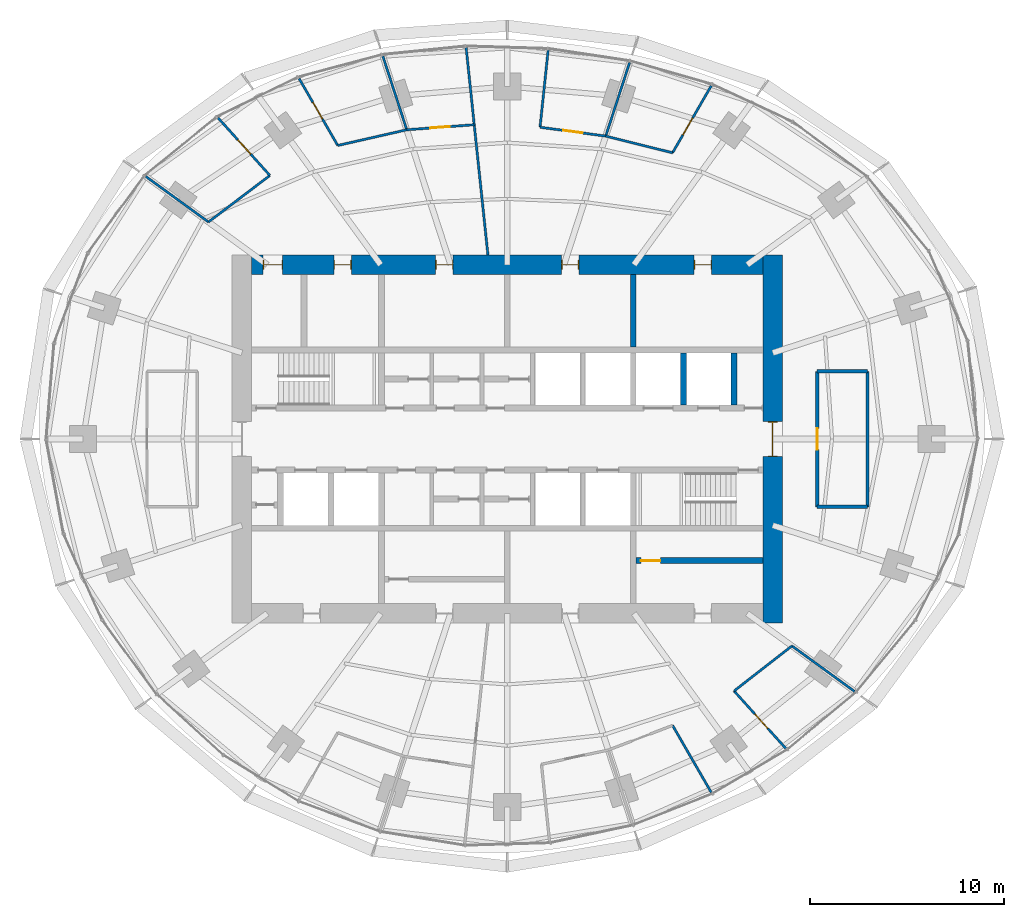
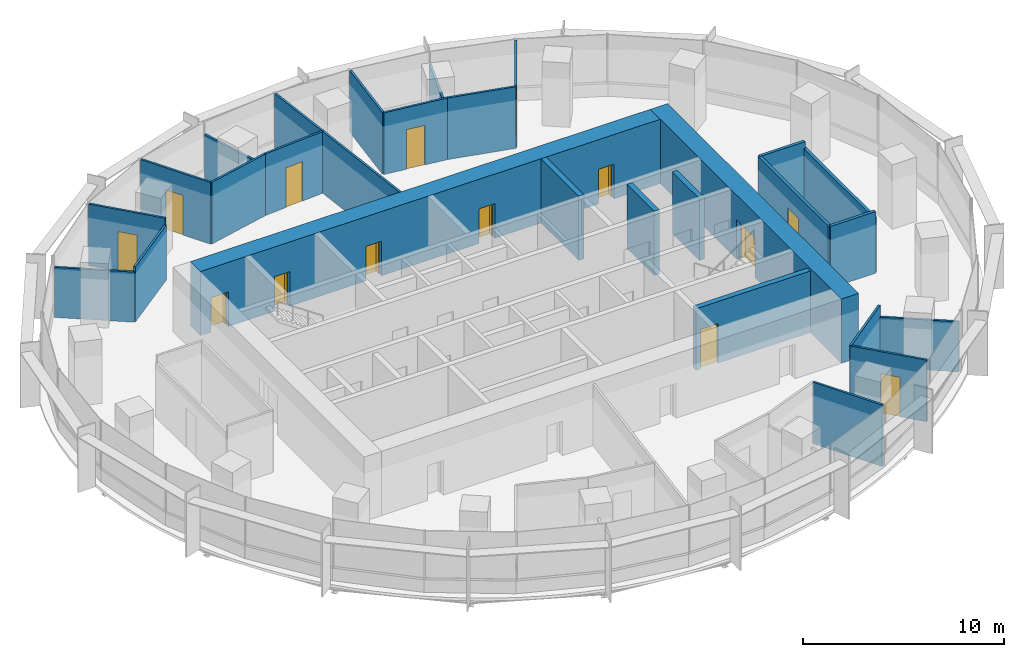
# One storey, part 12 of 15: 27 walls, 14 doors, 14 openings.
"""IFC4 building model written with IfcOpenShell, lengths in metres."""

from ifc_helpers import new_model, si_unit, direction, frame, frame_2d, origin, place, context, subcontext, project, spatial, rectangle, extrude, material, layer, layer_set, type_object, element, fill, save


model = new_model("IFC4")

# Units and contexts
model_context = context("Model", 3, precision=1e-05, world=origin(), true_north=direction((0.0, 1.0)))
body_context = subcontext(model_context, "Body", "Model", "MODEL_VIEW")
ifc_project = project(units=[si_unit("LENGTHUNIT", "METRE"), si_unit("AREAUNIT", "SQUARE_METRE"), si_unit("VOLUMEUNIT", "CUBIC_METRE"), si_unit("PLANEANGLEUNIT", "RADIAN"), si_unit("MASSUNIT", "GRAM", prefix="KILO")], contexts=[model_context])

# Site, building, storey
site_placement = place(None, origin())
site = spatial("IfcSite", under=ifc_project, at=site_placement, CompositionType="ELEMENT")
building_placement = place(site_placement, origin())
building = spatial("IfcBuilding", under=site, at=building_placement, Name="Marramba Exchange Tower", CompositionType="ELEMENT")
storey_placement = place(building_placement, frame((0.0, 0.0, 191.60009765625)))
storey = spatial("IfcBuildingStorey", under=building, at=storey_placement, Name="L46", CompositionType="ELEMENT", Elevation=191.60009765625)

# Wall
ifc_material_1 = material(Name="Plasterboard on staggered double steel studs, acoustic insulation", Category="steel")
ifc_layer_1 = layer(ifc_material_1, 0.169921875)
ifc_layer_set_1 = layer_set([ifc_layer_1], Name="Acoustic partition 170")
wall_type_1 = type_object("IfcWallType", Name="Acoustic partition 170", PredefinedType="PARTITIONING", material=ifc_layer_set_1)
wall_1_placement = place(storey_placement, frame((18.60009765625, -3.5, 0.0), z_axis=(0.0, 0.0, 1.0), x_axis=(-1.0, 0.0, 0.0)))
element("IfcWall", 1, at=wall_1_placement, inside=storey, type_object=wall_type_1, Name="Acoustic partition L46 15", PredefinedType="PARTITIONING", context=body_context, shape_type="SweptSolid", body=[
    extrude(rectangle(XDim=2.60009765625, YDim=0.169921875, at=frame_2d((1.300048828125, 0.0))), origin(), (0.0, 0.0, 1.0), 3.739990234375),
])

# Wall, opening, door
wall_2_placement = place(storey_placement, frame((16.0, -3.5, 0.0), z_axis=(0.0, 0.0, 1.0), x_axis=(0.0, 1.0, 0.0)))
wall_2 = element("IfcWall", 2, at=wall_2_placement, inside=storey, type_object=wall_type_1, Name="Acoustic partition L46 16", PredefinedType="PARTITIONING", context=body_context, shape_type="SweptSolid", body=[
    extrude(rectangle(XDim=7.0, YDim=0.169921875, at=frame_2d((3.5, 0.0))), origin(), (0.0, 0.0, 1.0), 3.739990234375),
])
opening_1_placement = place(wall_2_placement, frame((2.949951171875, 0.0, 0.0)))
opening_1 = element("IfcOpeningElement", 3, at=opening_1_placement, cuts=wall_2, Name="Opening D15", PredefinedType="OPENING", context=body_context, shape_type="SweptSolid", body=[
    extrude(rectangle(XDim=1.10009765625, YDim=2.39990234375, at=frame_2d((0.550048828125, 1.199951171875))), frame((0.0, 0.094970703125, 0.0), z_axis=(0.0, -1.0, 0.0), x_axis=(1.0, 0.0, 0.0)), (0.0, 0.0, 1.0), 0.18994140625),
])
ifc_material_2 = material(Name="Timber door", Category="wood")
door_type_1 = type_object("IfcDoorType", Name="Glazed meeting room door 1100x2400", OperationType="SINGLE_SWING_LEFT", PredefinedType="DOOR", material=ifc_material_2)
door_1_placement = place(opening_1_placement, frame((1.10009765625, 0.0, 0.0), z_axis=(0.0, 0.0, 1.0), x_axis=(-1.0, 0.0, 0.0)))
door_1 = element("IfcDoor", 4, at=door_1_placement, inside=storey, type_object=door_type_1, Name="D15 Meeting Room L46", OperationType="SINGLE_SWING_RIGHT", OverallHeight=2.39990234375, OverallWidth=1.10009765625, PredefinedType="DOOR", context=body_context, shape_type="SweptSolid", body=[
    extrude(rectangle(XDim=1.10009765625, YDim=2.39990234375, at=frame_2d((0.550048828125, 1.199951171875))), frame((0.0, 0.025146484375, 0.0), z_axis=(0.0, -1.0, 0.0), x_axis=(1.0, 0.0, 0.0)), (0.0, 0.0, 1.0), 0.050048828125),
])
fill(opening_1, door_1)

# Walls
wall_3_placement = place(storey_placement, frame((18.60009765625, 3.5, 0.0), z_axis=(0.0, 0.0, 1.0), x_axis=(0.0, -1.0, 0.0)))
element("IfcWall", 5, at=wall_3_placement, inside=storey, type_object=wall_type_1, Name="Acoustic partition L46 17", PredefinedType="PARTITIONING", context=body_context, shape_type="SweptSolid", body=[
    extrude(rectangle(XDim=7.0, YDim=0.169921875, at=frame_2d((3.5, 0.0))), origin(), (0.0, 0.0, 1.0), 3.333984375),
])
wall_4_placement = place(storey_placement, frame((16.0, 3.5, 0.0), z_axis=(0.0, 0.0, 1.0), x_axis=(1.0, 0.0, 0.0)))
element("IfcWall", 6, at=wall_4_placement, inside=storey, type_object=wall_type_1, Name="Acoustic partition L46 18", PredefinedType="PARTITIONING", context=body_context, shape_type="SweptSolid", body=[
    extrude(rectangle(XDim=2.60009765625, YDim=0.169921875, at=frame_2d((1.300048828125, 0.0))), origin(), (0.0, 0.0, 1.0), 3.739990234375),
])

# Wall, openings, doors
ifc_material_3 = material(Name="Concrete N50", Category="concrete")
ifc_layer_2 = layer(ifc_material_3, 1.0)
ifc_layer_set_2 = layer_set([ifc_layer_2], Name="Core wall 1000")
wall_type_2 = type_object("IfcWallType", Name="Core wall 1000", PredefinedType="SHEAR", material=ifc_layer_set_2)
wall_5_placement = place(storey_placement, frame((13.199951171875, 9.0, 0.0), z_axis=(0.0, 0.0, 1.0), x_axis=(-1.0, 0.0, 0.0)))
wall_5 = element("IfcWall", 7, at=wall_5_placement, inside=storey, type_object=wall_type_2, Name="Core wall N L46", PredefinedType="SHEAR", context=body_context, shape_type="SweptSolid", body=[
    extrude(rectangle(XDim=26.39990234375, YDim=1.0, at=frame_2d((13.199951171875, 0.0))), origin(), (0.0, 0.0, 1.0), 3.89990234375),
])
opening_2_placement = place(wall_5_placement, frame((2.64990234375, 0.0, 0.0)))
opening_2 = element("IfcOpeningElement", 8, at=opening_2_placement, cuts=wall_5, Name="Opening D5", PredefinedType="OPENING", context=body_context, shape_type="SweptSolid", body=[
    extrude(rectangle(XDim=0.89990234375, YDim=2.10009765625, at=frame_2d((0.449951171875, 1.050048828125))), frame((0.0, 0.510009765625, 0.0), z_axis=(0.0, -1.0, 0.0), x_axis=(1.0, 0.0, 0.0)), (0.0, 0.0, 1.0), 1.02001953125),
])
opening_3_placement = place(wall_5_placement, frame((9.5, 0.0, 0.0)))
opening_3 = element("IfcOpeningElement", 9, at=opening_3_placement, cuts=wall_5, Name="Opening D3", PredefinedType="OPENING", context=body_context, shape_type="SweptSolid", body=[
    extrude(rectangle(XDim=0.89990234375, YDim=2.10009765625, at=frame_2d((0.449951171875, 1.050048828125))), frame((0.0, 0.510009765625, 0.0), z_axis=(0.0, -1.0, 0.0), x_axis=(1.0, 0.0, 0.0)), (0.0, 0.0, 1.0), 1.02001953125),
])
opening_4_placement = place(wall_5_placement, frame((16.0, 0.0, 0.0)))
opening_4 = element("IfcOpeningElement", 10, at=opening_4_placement, cuts=wall_5, Name="Opening D3", PredefinedType="OPENING", context=body_context, shape_type="SweptSolid", body=[
    extrude(rectangle(XDim=0.89990234375, YDim=2.10009765625, at=frame_2d((0.449951171875, 1.050048828125))), frame((0.0, 0.510009765625, 0.0), z_axis=(0.0, -1.0, 0.0), x_axis=(1.0, 0.0, 0.0)), (0.0, 0.0, 1.0), 1.02001953125),
])
opening_5_placement = place(wall_5_placement, frame((21.25, 0.0, 0.0)))
opening_5 = element("IfcOpeningElement", 11, at=opening_5_placement, cuts=wall_5, Name="Opening D5", PredefinedType="OPENING", context=body_context, shape_type="SweptSolid", body=[
    extrude(rectangle(XDim=0.89990234375, YDim=2.10009765625, at=frame_2d((0.449951171875, 1.050048828125))), frame((0.0, 0.510009765625, 0.0), z_axis=(0.0, -1.0, 0.0), x_axis=(1.0, 0.0, 0.0)), (0.0, 0.0, 1.0), 1.02001953125),
])
opening_6_placement = place(wall_5_placement, frame((24.800048828125, 0.0, 0.0)))
opening_6 = element("IfcOpeningElement", 12, at=opening_6_placement, cuts=wall_5, Name="Opening D4", PredefinedType="OPENING", context=body_context, shape_type="SweptSolid", body=[
    extrude(rectangle(XDim=1.0, YDim=2.10009765625, at=frame_2d((0.5, 1.050048828125))), frame((0.0, 0.510009765625, 0.0), z_axis=(0.0, -1.0, 0.0), x_axis=(1.0, 0.0, 0.0)), (0.0, 0.0, 1.0), 1.02001953125),
])
ifc_material_4 = material(Name="Steel-framed door", Category="steel")
door_type_2 = type_object("IfcDoorType", Name="Accessible toilet door 1000x2100", OperationType="SINGLE_SWING_LEFT", PredefinedType="DOOR", material=ifc_material_4)
door_2_placement = place(opening_6_placement, origin())
door_2 = element("IfcDoor", 13, at=door_2_placement, inside=storey, type_object=door_type_2, Name="D4 awc L46", OperationType="SINGLE_SWING_RIGHT", OverallHeight=2.10009765625, OverallWidth=1.0, PredefinedType="DOOR", context=body_context, shape_type="SweptSolid", body=[
    extrude(rectangle(XDim=0.919921875, YDim=2.06005859375, at=frame_2d((0.5, 1.030029296875))), frame((0.0, 0.02490234375, 0.0), z_axis=(0.0, -1.0, 0.0), x_axis=(1.0, 0.0, 0.0)), (0.0, 0.0, 1.0), 0.050048828125),
    extrude(rectangle(XDim=0.04, YDim=2.10009765625, at=frame_2d((0.02001953125, 1.050048828125))), frame((0.0, 0.25, 0.0), z_axis=(0.0, -1.0, 0.0), x_axis=(1.0, 0.0, 0.0)), (0.0, 0.0, 1.0), 0.5),
    extrude(rectangle(XDim=0.04, YDim=2.10009765625, at=frame_2d((0.97998046875, 1.050048828125))), frame((0.0, 0.25, 0.0), z_axis=(0.0, -1.0, 0.0), x_axis=(1.0, 0.0, 0.0)), (0.0, 0.0, 1.0), 0.5),
    extrude(rectangle(XDim=0.919921875, YDim=0.04, at=frame_2d((0.5, 2.080078125))), frame((0.0, 0.25, 0.0), z_axis=(0.0, -1.0, 0.0), x_axis=(1.0, 0.0, 0.0)), (0.0, 0.0, 1.0), 0.5),
])
fill(opening_6, door_2)
door_type_3 = type_object("IfcDoorType", Name="Service door 900x2100", OperationType="SINGLE_SWING_LEFT", PredefinedType="DOOR", material=ifc_material_4)
door_3_placement = place(opening_2_placement, origin())
door_3 = element("IfcDoor", 14, at=door_3_placement, inside=storey, type_object=door_type_3, Name="D5 comms L46", OperationType="SINGLE_SWING_LEFT", OverallHeight=2.10009765625, OverallWidth=0.89990234375, PredefinedType="DOOR", context=body_context, shape_type="SweptSolid", body=[
    extrude(rectangle(XDim=0.81982421875, YDim=2.06005859375, at=frame_2d((0.449951171875, 1.030029296875))), frame((0.0, 0.02490234375, 0.0), z_axis=(0.0, -1.0, 0.0), x_axis=(1.0, 0.0, 0.0)), (0.0, 0.0, 1.0), 0.050048828125),
    extrude(rectangle(XDim=0.04, YDim=2.10009765625, at=frame_2d((0.02001953125, 1.050048828125))), frame((0.0, 0.25, 0.0), z_axis=(0.0, -1.0, 0.0), x_axis=(1.0, 0.0, 0.0)), (0.0, 0.0, 1.0), 0.5),
    extrude(rectangle(XDim=0.04, YDim=2.10009765625, at=frame_2d((0.8798828125, 1.050048828125))), frame((0.0, 0.25, 0.0), z_axis=(0.0, -1.0, 0.0), x_axis=(1.0, 0.0, 0.0)), (0.0, 0.0, 1.0), 0.5),
    extrude(rectangle(XDim=0.81982421875, YDim=0.04, at=frame_2d((0.449951171875, 2.080078125))), frame((0.0, 0.25, 0.0), z_axis=(0.0, -1.0, 0.0), x_axis=(1.0, 0.0, 0.0)), (0.0, 0.0, 1.0), 0.5),
])
fill(opening_2, door_3)
door_4_placement = place(opening_5_placement, origin())
door_4 = element("IfcDoor", 15, at=door_4_placement, inside=storey, type_object=door_type_3, Name="D5 cleaner L46", OperationType="SINGLE_SWING_RIGHT", OverallHeight=2.10009765625, OverallWidth=0.89990234375, PredefinedType="DOOR", context=body_context, shape_type="SweptSolid", body=[
    extrude(rectangle(XDim=0.81982421875, YDim=2.06005859375, at=frame_2d((0.449951171875, 1.030029296875))), frame((0.0, 0.02490234375, 0.0), z_axis=(0.0, -1.0, 0.0), x_axis=(1.0, 0.0, 0.0)), (0.0, 0.0, 1.0), 0.050048828125),
    extrude(rectangle(XDim=0.04, YDim=2.10009765625, at=frame_2d((0.02001953125, 1.050048828125))), frame((0.0, 0.25, 0.0), z_axis=(0.0, -1.0, 0.0), x_axis=(1.0, 0.0, 0.0)), (0.0, 0.0, 1.0), 0.5),
    extrude(rectangle(XDim=0.04, YDim=2.10009765625, at=frame_2d((0.8798828125, 1.050048828125))), frame((0.0, 0.25, 0.0), z_axis=(0.0, -1.0, 0.0), x_axis=(1.0, 0.0, 0.0)), (0.0, 0.0, 1.0), 0.5),
    extrude(rectangle(XDim=0.81982421875, YDim=0.04, at=frame_2d((0.449951171875, 2.080078125))), frame((0.0, 0.25, 0.0), z_axis=(0.0, -1.0, 0.0), x_axis=(1.0, 0.0, 0.0)), (0.0, 0.0, 1.0), 0.5),
])
fill(opening_5, door_4)
door_type_4 = type_object("IfcDoorType", Name="Toilet door 900x2100", OperationType="SINGLE_SWING_LEFT", PredefinedType="DOOR", material=ifc_material_4)
door_5_placement = place(opening_3_placement, origin())
door_5 = element("IfcDoor", 16, at=door_5_placement, inside=storey, type_object=door_type_4, Name="D3 wc-f L46", OperationType="SINGLE_SWING_RIGHT", OverallHeight=2.10009765625, OverallWidth=0.89990234375, PredefinedType="DOOR", context=body_context, shape_type="SweptSolid", body=[
    extrude(rectangle(XDim=0.81982421875, YDim=2.06005859375, at=frame_2d((0.449951171875, 1.030029296875))), frame((0.0, 0.02490234375, 0.0), z_axis=(0.0, -1.0, 0.0), x_axis=(1.0, 0.0, 0.0)), (0.0, 0.0, 1.0), 0.050048828125),
    extrude(rectangle(XDim=0.04, YDim=2.10009765625, at=frame_2d((0.02001953125, 1.050048828125))), frame((0.0, 0.25, 0.0), z_axis=(0.0, -1.0, 0.0), x_axis=(1.0, 0.0, 0.0)), (0.0, 0.0, 1.0), 0.5),
    extrude(rectangle(XDim=0.04, YDim=2.10009765625, at=frame_2d((0.8798828125, 1.050048828125))), frame((0.0, 0.25, 0.0), z_axis=(0.0, -1.0, 0.0), x_axis=(1.0, 0.0, 0.0)), (0.0, 0.0, 1.0), 0.5),
    extrude(rectangle(XDim=0.81982421875, YDim=0.04, at=frame_2d((0.449951171875, 2.080078125))), frame((0.0, 0.25, 0.0), z_axis=(0.0, -1.0, 0.0), x_axis=(1.0, 0.0, 0.0)), (0.0, 0.0, 1.0), 0.5),
])
fill(opening_3, door_5)
door_6_placement = place(opening_4_placement, origin())
door_6 = element("IfcDoor", 17, at=door_6_placement, inside=storey, type_object=door_type_4, Name="D3 wc-m L46", OperationType="SINGLE_SWING_RIGHT", OverallHeight=2.10009765625, OverallWidth=0.89990234375, PredefinedType="DOOR", context=body_context, shape_type="SweptSolid", body=[
    extrude(rectangle(XDim=0.81982421875, YDim=2.06005859375, at=frame_2d((0.449951171875, 1.030029296875))), frame((0.0, 0.02490234375, 0.0), z_axis=(0.0, -1.0, 0.0), x_axis=(1.0, 0.0, 0.0)), (0.0, 0.0, 1.0), 0.050048828125),
    extrude(rectangle(XDim=0.04, YDim=2.10009765625, at=frame_2d((0.02001953125, 1.050048828125))), frame((0.0, 0.25, 0.0), z_axis=(0.0, -1.0, 0.0), x_axis=(1.0, 0.0, 0.0)), (0.0, 0.0, 1.0), 0.5),
    extrude(rectangle(XDim=0.04, YDim=2.10009765625, at=frame_2d((0.8798828125, 1.050048828125))), frame((0.0, 0.25, 0.0), z_axis=(0.0, -1.0, 0.0), x_axis=(1.0, 0.0, 0.0)), (0.0, 0.0, 1.0), 0.5),
    extrude(rectangle(XDim=0.81982421875, YDim=0.04, at=frame_2d((0.449951171875, 2.080078125))), frame((0.0, 0.25, 0.0), z_axis=(0.0, -1.0, 0.0), x_axis=(1.0, 0.0, 0.0)), (0.0, 0.0, 1.0), 0.5),
])
fill(opening_4, door_6)

# Wall, opening, door
wall_6_placement = place(storey_placement, frame((13.699951171875, -9.5, 0.0), z_axis=(0.0, 0.0, 1.0), x_axis=(0.0, 1.0, 0.0)))
wall_6 = element("IfcWall", 18, at=wall_6_placement, inside=storey, type_object=wall_type_2, Name="Core wall E L46", PredefinedType="SHEAR", context=body_context, shape_type="SweptSolid", body=[
    extrude(rectangle(XDim=19.0, YDim=1.0, at=frame_2d((9.5, 0.0))), origin(), (0.0, 0.0, 1.0), 3.89990234375),
])
opening_7_placement = place(wall_6_placement, frame((8.60009765625, 0.0, 0.0)))
opening_7 = element("IfcOpeningElement", 19, at=opening_7_placement, cuts=wall_6, Name="Opening D1", PredefinedType="OPENING", context=body_context, shape_type="SweptSolid", body=[
    extrude(rectangle(XDim=1.800048828125, YDim=2.39990234375, at=frame_2d((0.89990234375, 1.199951171875))), frame((0.0, 0.510009765625, 0.0), z_axis=(0.0, -1.0, 0.0), x_axis=(1.0, 0.0, 0.0)), (0.0, 0.0, 1.0), 1.02001953125),
])
door_type_5 = type_object("IfcDoorType", Name="Lobby exit door 1800x2400", OperationType="DOUBLE_DOOR_SINGLE_SWING", PredefinedType="DOOR", material=ifc_material_4)
door_7_placement = place(opening_7_placement, origin())
door_7 = element("IfcDoor", 20, at=door_7_placement, inside=storey, type_object=door_type_5, Name="D1 lobby exit east L46", OperationType="DOUBLE_DOOR_SINGLE_SWING", OverallHeight=2.39990234375, OverallWidth=1.800048828125, PredefinedType="DOOR", context=body_context, shape_type="SweptSolid", body=[
    extrude(rectangle(XDim=1.719970703125, YDim=2.35986328125, at=frame_2d((0.89990234375, 1.179931640625))), frame((0.0, 0.02490234375, 0.0), z_axis=(0.0, -1.0, 0.0), x_axis=(1.0, 0.0, 0.0)), (0.0, 0.0, 1.0), 0.050048828125),
    extrude(rectangle(XDim=0.04, YDim=2.39990234375, at=frame_2d((0.02001953125, 1.199951171875))), frame((0.0, 0.25, 0.0), z_axis=(0.0, -1.0, 0.0), x_axis=(1.0, 0.0, 0.0)), (0.0, 0.0, 1.0), 0.5),
    extrude(rectangle(XDim=0.04, YDim=2.39990234375, at=frame_2d((1.780029296875, 1.199951171875))), frame((0.0, 0.25, 0.0), z_axis=(0.0, -1.0, 0.0), x_axis=(1.0, 0.0, 0.0)), (0.0, 0.0, 1.0), 0.5),
    extrude(rectangle(XDim=1.719970703125, YDim=0.04, at=frame_2d((0.89990234375, 2.3798828125))), frame((0.0, 0.25, 0.0), z_axis=(0.0, -1.0, 0.0), x_axis=(1.0, 0.0, 0.0)), (0.0, 0.0, 1.0), 0.5),
])
fill(opening_7, door_7)

# Walls
ifc_layer_3 = layer(ifc_material_3, 0.300048828125)
ifc_layer_set_3 = layer_set([ifc_layer_3], Name="Core wall 300")
wall_type_3 = type_object("IfcWallType", Name="Core wall 300", PredefinedType="SHEAR", material=ifc_layer_set_3)
wall_7_placement = place(storey_placement, frame((6.5, 4.75, 0.0), z_axis=(0.0, 0.0, 1.0), x_axis=(0.0, 1.0, 0.0)))
element("IfcWall", 21, at=wall_7_placement, inside=storey, type_object=wall_type_3, Name="Core wall X1Nb L46", PredefinedType="SHEAR", context=body_context, shape_type="SweptSolid", body=[
    extrude(rectangle(XDim=3.75, YDim=0.300048828125, at=frame_2d((1.875, 0.0))), origin(), (0.0, 0.0, 1.0), 3.89990234375),
])
wall_8_placement = place(storey_placement, frame((9.10009765625, 1.75, 0.0), z_axis=(0.0, 0.0, 1.0), x_axis=(0.0, 1.0, 0.0)))
element("IfcWall", 22, at=wall_8_placement, inside=storey, type_object=wall_type_3, Name="Core wall ED L46", PredefinedType="SHEAR", context=body_context, shape_type="SweptSolid", body=[
    extrude(rectangle(XDim=2.699951171875, YDim=0.300048828125, at=frame_2d((1.35009765625, 0.0))), origin(), (0.0, 0.0, 1.0), 3.89990234375),
])
ifc_material_5 = material(Name="Core-filled concrete blockwork", Category="masonry")
ifc_layer_4 = layer(ifc_material_5, 0.300048828125)
ifc_layer_set_4 = layer_set([ifc_layer_4], Name="Lift shaft wall 300")
wall_type_4 = type_object("IfcWallType", Name="Lift shaft wall 300", PredefinedType="SOLIDWALL", material=ifc_layer_set_4)
wall_9_placement = place(storey_placement, frame((11.699951171875, 1.75, 0.0), z_axis=(0.0, 0.0, 1.0), x_axis=(0.0, 1.0, 0.0)))
element("IfcWall", 23, at=wall_9_placement, inside=storey, type_object=wall_type_4, Name="Lift shaft wall E1 L46", PredefinedType="SOLIDWALL", context=body_context, shape_type="SweptSolid", body=[
    extrude(rectangle(XDim=2.699951171875, YDim=0.300048828125, at=frame_2d((1.35009765625, 0.0))), origin(), (0.0, 0.0, 1.0), 3.739990234375),
])
ifc_material_6 = material(Name="Plasterboard on steel studs", Category="steel")
ifc_layer_5 = layer(ifc_material_6, 0.1201171875)
ifc_layer_set_5 = layer_set([ifc_layer_5], Name="Partition 120")
wall_type_5 = type_object("IfcWallType", Name="Partition 120", PredefinedType="PARTITIONING", material=ifc_layer_set_5)
wall_10_placement = place(storey_placement, frame((10.5341796875, -18.245849609375, 0.0), z_axis=(0.0, 0.0, 1.0), x_axis=(-0.49999894854, 0.866026010844, 0.0)))
element("IfcWall", 24, at=wall_10_placement, inside=storey, type_object=wall_type_5, Name="Partition L46 11", PredefinedType="PARTITIONING", context=body_context, shape_type="SweptSolid", body=[
    extrude(rectangle(XDim=4.0, YDim=0.1201171875, at=frame_2d((2.0, 0.0))), origin(), (0.0, 0.0, 1.0), 3.739990234375),
])

# Wall, opening, door
wall_11_placement = place(storey_placement, frame((11.708740234375, -13.00390625, 0.0), z_axis=(0.0, 0.0, 1.0), x_axis=(0.669150182773, -0.743127198328, 0.0)))
wall_11 = element("IfcWall", 25, at=wall_11_placement, inside=storey, type_object=wall_type_5, Name="Partition L46 12", PredefinedType="PARTITIONING", context=body_context, shape_type="SweptSolid", body=[
    extrude(rectangle(XDim=3.999755859375, YDim=0.1201171875, at=frame_2d((2.0, 0.0))), origin(), (0.0, 0.0, 1.0), 3.739990234375),
])
opening_8_placement = place(wall_11_placement, frame((1.60009765625, 0.0, 0.0)))
opening_8 = element("IfcOpeningElement", 26, at=opening_8_placement, cuts=wall_11, Name="Opening D9", PredefinedType="OPENING", context=body_context, shape_type="SweptSolid", body=[
    extrude(rectangle(XDim=1.0, YDim=2.39990234375, at=frame_2d((0.5, 1.199951171875))), frame((0.0, 0.070068359375, 0.0), z_axis=(0.0, -1.0, 0.0), x_axis=(1.0, 0.0, 0.0)), (0.0, 0.0, 1.0), 0.14013671875),
])
door_type_6 = type_object("IfcDoorType", Name="Room door 1000x2400", OperationType="SINGLE_SWING_LEFT", PredefinedType="DOOR", material=ifc_material_2)
door_8_placement = place(opening_8_placement, origin())
door_8 = element("IfcDoor", 27, at=door_8_placement, inside=storey, type_object=door_type_6, Name="D9 Office 10 L46", OperationType="SINGLE_SWING_RIGHT", OverallHeight=2.39990234375, OverallWidth=1.0, PredefinedType="DOOR", context=body_context, shape_type="SweptSolid", body=[
    extrude(rectangle(XDim=1.0, YDim=2.39990234375, at=frame_2d((0.5, 1.199951171875))), frame((0.0, 0.02490234375, 0.0), z_axis=(0.0, -1.0, 0.0), x_axis=(1.0, 0.0, 0.0)), (0.0, 0.0, 1.0), 0.050048828125),
])
fill(opening_8, door_8)

# Walls
wall_12_placement = place(storey_placement, frame((14.696044921875, -10.677490234375, 0.0), z_axis=(0.0, 0.0, 1.0), x_axis=(-0.788973621164, -0.614427070617, 0.0)))
element("IfcWall", 28, at=wall_12_placement, inside=storey, type_object=wall_type_5, Name="Partition L46 13", PredefinedType="PARTITIONING", context=body_context, shape_type="SweptSolid", body=[
    extrude(rectangle(XDim=3.786376953125, YDim=0.1201171875, at=frame_2d((1.89306640625, 0.0))), origin(), (0.0, 0.0, 1.0), 3.739990234375),
])
wall_13_placement = place(storey_placement, frame((17.93212890625, -13.028564453125, 0.0), z_axis=(0.0, 0.0, 1.0), x_axis=(-0.809026317077, 0.587772420479, 0.0)))
element("IfcWall", 29, at=wall_13_placement, inside=storey, type_object=wall_type_5, Name="Partition L46 14", PredefinedType="PARTITIONING", context=body_context, shape_type="SweptSolid", body=[
    extrude(rectangle(XDim=4.0, YDim=0.1201171875, at=frame_2d((2.0, 0.0))), origin(), (0.0, 0.0, 1.0), 3.039794921875),
])

# Wall, opening, door
wall_14_placement = place(storey_placement, frame((8.5341796875, 14.78173828125, 0.0), z_axis=(0.0, 0.0, 1.0), x_axis=(0.49999894854, 0.866026010844, 0.0)))
wall_14 = element("IfcWall", 30, at=wall_14_placement, inside=storey, type_object=wall_type_5, Name="Partition L46 19", PredefinedType="PARTITIONING", context=body_context, shape_type="SweptSolid", body=[
    extrude(rectangle(XDim=4.0, YDim=0.1201171875, at=frame_2d((2.0, 0.0))), origin(), (0.0, 0.0, 1.0), 3.739990234375),
])
opening_9_placement = place(wall_14_placement, frame((1.06591796875, 0.0, 0.0)))
opening_9 = element("IfcOpeningElement", 31, at=opening_9_placement, cuts=wall_14, Name="Opening D9", PredefinedType="OPENING", context=body_context, shape_type="SweptSolid", body=[
    extrude(rectangle(XDim=1.0, YDim=2.39990234375, at=frame_2d((0.5, 1.199951171875))), frame((0.0, 0.070068359375, 0.0), z_axis=(0.0, -1.0, 0.0), x_axis=(1.0, 0.0, 0.0)), (0.0, 0.0, 1.0), 0.14013671875),
])
door_9_placement = place(opening_9_placement, origin())
door_9 = element("IfcDoor", 32, at=door_9_placement, inside=storey, type_object=door_type_6, Name="D9 Office 1 L46", OperationType="SINGLE_SWING_LEFT", OverallHeight=2.39990234375, OverallWidth=1.0, PredefinedType="DOOR", context=body_context, shape_type="SweptSolid", body=[
    extrude(rectangle(XDim=1.0, YDim=2.39990234375, at=frame_2d((0.5, 1.199951171875))), frame((0.0, 0.02490234375, 0.0), z_axis=(0.0, -1.0, 0.0), x_axis=(1.0, 0.0, 0.0)), (0.0, 0.0, 1.0), 0.050048828125),
])
fill(opening_9, door_9)

# Walls
wall_15_placement = place(storey_placement, frame((5.082275390625, 15.641357421875, 0.0), z_axis=(0.0, 0.0, 1.0), x_axis=(0.970364132875, -0.241647366281, 0.0)))
element("IfcWall", 33, at=wall_15_placement, inside=storey, type_object=wall_type_5, Name="Partition L46 20", PredefinedType="PARTITIONING", context=body_context, shape_type="SweptSolid", body=[
    extrude(rectangle(XDim=3.557373046875, YDim=0.1201171875, at=frame_2d((1.77880859375, 0.0))), origin(), (0.0, 0.0, 1.0), 3.739990234375),
])
wall_16_placement = place(storey_placement, frame((5.082275390625, 15.641357421875, 0.0), z_axis=(0.0, 0.0, 1.0), x_axis=(0.309022586479, 0.951054699292, 0.0)))
element("IfcWall", 34, at=wall_16_placement, inside=storey, type_object=wall_type_5, Name="Partition L46 21", PredefinedType="PARTITIONING", context=body_context, shape_type="SweptSolid", body=[
    extrude(rectangle(XDim=4.0, YDim=0.1201171875, at=frame_2d((2.0, 0.0))), origin(), (0.0, 0.0, 1.0), 3.039794921875),
])

# Wall, opening, door
wall_17_placement = place(storey_placement, frame((1.692138671875, 16.099609375, 0.0), z_axis=(0.0, 0.0, 1.0), x_axis=(0.990987566224, -0.133953886058, 0.0)))
wall_17 = element("IfcWall", 35, at=wall_17_placement, inside=storey, type_object=wall_type_5, Name="Partition L46 22", PredefinedType="PARTITIONING", context=body_context, shape_type="SweptSolid", body=[
    extrude(rectangle(XDim=3.4208984375, YDim=0.1201171875, at=frame_2d((1.71044921875, 0.0))), origin(), (0.0, 0.0, 1.0), 3.739990234375),
])
opening_10_placement = place(wall_17_placement, frame((1.2099609375, 0.0, 0.0)))
opening_10 = element("IfcOpeningElement", 36, at=opening_10_placement, cuts=wall_17, Name="Opening D9", PredefinedType="OPENING", context=body_context, shape_type="SweptSolid", body=[
    extrude(rectangle(XDim=1.0, YDim=2.39990234375, at=frame_2d((0.5, 1.199951171875))), frame((0.0, 0.070068359375, 0.0), z_axis=(0.0, -1.0, 0.0), x_axis=(1.0, 0.0, 0.0)), (0.0, 0.0, 1.0), 0.14013671875),
])
door_10_placement = place(opening_10_placement, origin())
door_10 = element("IfcDoor", 37, at=door_10_placement, inside=storey, type_object=door_type_6, Name="D9 Office 2 L46", OperationType="SINGLE_SWING_LEFT", OverallHeight=2.39990234375, OverallWidth=1.0, PredefinedType="DOOR", context=body_context, shape_type="SweptSolid", body=[
    extrude(rectangle(XDim=1.0, YDim=2.39990234375, at=frame_2d((0.5, 1.199951171875))), frame((0.0, 0.02490234375, 0.0), z_axis=(0.0, -1.0, 0.0), x_axis=(1.0, 0.0, 0.0)), (0.0, 0.0, 1.0), 0.050048828125),
])
fill(opening_10, door_10)

# Walls
wall_18_placement = place(storey_placement, frame((2.1103515625, 20.077880859375, 0.0), z_axis=(0.0, 0.0, 1.0), x_axis=(-0.104548171712, -0.99451982373, 0.0)))
element("IfcWall", 38, at=wall_18_placement, inside=storey, type_object=wall_type_5, Name="Partition L46 23", PredefinedType="PARTITIONING", context=body_context, shape_type="SweptSolid", body=[
    extrude(rectangle(XDim=4.000244140625, YDim=0.1201171875, at=frame_2d((2.0, 0.0))), origin(), (0.0, 0.0, 1.0), 3.739990234375),
])
wall_19_placement = place(storey_placement, frame((-0.99853515625, 9.5, 0.0), z_axis=(0.0, 0.0, 1.0), x_axis=(-0.10451834001, 0.994522959313, 0.0)))
element("IfcWall", 39, at=wall_19_placement, inside=storey, type_object=wall_type_5, Name="Partition L46 24", PredefinedType="PARTITIONING", context=body_context, shape_type="SweptSolid", body=[
    extrude(rectangle(XDim=10.76611328125, YDim=0.1201171875, at=frame_2d((5.383056640625, 0.0))), origin(), (0.0, 0.0, 1.0), 3.739990234375),
])

# Wall, opening, door
wall_20_placement = place(storey_placement, frame((-5.1884765625, 15.96875, 0.0), z_axis=(0.0, 0.0, 1.0), x_axis=(0.997219476507, 0.074520572167, 0.0)))
wall_20 = element("IfcWall", 40, at=wall_20_placement, inside=storey, type_object=wall_type_5, Name="Partition L46 25", PredefinedType="PARTITIONING", context=body_context, shape_type="SweptSolid", body=[
    extrude(rectangle(XDim=3.492431640625, YDim=0.1201171875, at=frame_2d((1.74609375, 0.0))), origin(), (0.0, 0.0, 1.0), 3.739990234375),
])
opening_11_placement = place(wall_20_placement, frame((1.220947265625, 0.0, 0.0)))
opening_11 = element("IfcOpeningElement", 41, at=opening_11_placement, cuts=wall_20, Name="Opening D9", PredefinedType="OPENING", context=body_context, shape_type="SweptSolid", body=[
    extrude(rectangle(XDim=1.0, YDim=2.39990234375, at=frame_2d((0.5, 1.199951171875))), frame((0.0, 0.070068359375, 0.0), z_axis=(0.0, -1.0, 0.0), x_axis=(1.0, 0.0, 0.0)), (0.0, 0.0, 1.0), 0.14013671875),
])
door_11_placement = place(opening_11_placement, origin())
door_11 = element("IfcDoor", 42, at=door_11_placement, inside=storey, type_object=door_type_6, Name="D9 Office 3 L46", OperationType="SINGLE_SWING_RIGHT", OverallHeight=2.39990234375, OverallWidth=1.0, PredefinedType="DOOR", context=body_context, shape_type="SweptSolid", body=[
    extrude(rectangle(XDim=1.0, YDim=2.39990234375, at=frame_2d((0.5, 1.199951171875))), frame((0.0, 0.02490234375, 0.0), z_axis=(0.0, -1.0, 0.0), x_axis=(1.0, 0.0, 0.0)), (0.0, 0.0, 1.0), 0.050048828125),
])
fill(opening_11, door_11)

# Walls
wall_21_placement = place(storey_placement, frame((-5.1884765625, 15.96875, 0.0), z_axis=(0.0, 0.0, 1.0), x_axis=(-0.309022586479, 0.951054699292, 0.0)))
element("IfcWall", 43, at=wall_21_placement, inside=storey, type_object=wall_type_5, Name="Partition L46 26", PredefinedType="PARTITIONING", context=body_context, shape_type="SweptSolid", body=[
    extrude(rectangle(XDim=4.0, YDim=0.1201171875, at=frame_2d((2.0, 0.0))), origin(), (0.0, 0.0, 1.0), 3.039794921875),
])
wall_22_placement = place(storey_placement, frame((-8.75146484375, 15.15771484375, 0.0), z_axis=(0.0, 0.0, 1.0), x_axis=(0.975057981002, 0.221950295525, 0.0)))
element("IfcWall", 44, at=wall_22_placement, inside=storey, type_object=wall_type_5, Name="Partition L46 27", PredefinedType="PARTITIONING", context=body_context, shape_type="SweptSolid", body=[
    extrude(rectangle(XDim=3.654052734375, YDim=0.1201171875, at=frame_2d((1.8271484375, 0.0))), origin(), (0.0, 0.0, 1.0), 3.739990234375),
])

# Wall, opening, door
wall_23_placement = place(storey_placement, frame((-10.75146484375, 18.621826171875, 0.0), z_axis=(0.0, 0.0, 1.0), x_axis=(0.49999894854, -0.866026010844, 0.0)))
wall_23 = element("IfcWall", 45, at=wall_23_placement, inside=storey, type_object=wall_type_5, Name="Partition L46 28", PredefinedType="PARTITIONING", context=body_context, shape_type="SweptSolid", body=[
    extrude(rectangle(XDim=4.0, YDim=0.1201171875, at=frame_2d((2.0, 0.0))), origin(), (0.0, 0.0, 1.0), 3.739990234375),
])
opening_12_placement = place(wall_23_placement, frame((1.423095703125, 0.0, 0.0)))
opening_12 = element("IfcOpeningElement", 46, at=opening_12_placement, cuts=wall_23, Name="Opening D9", PredefinedType="OPENING", context=body_context, shape_type="SweptSolid", body=[
    extrude(rectangle(XDim=1.0, YDim=2.39990234375, at=frame_2d((0.5, 1.199951171875))), frame((0.0, 0.070068359375, 0.0), z_axis=(0.0, -1.0, 0.0), x_axis=(1.0, 0.0, 0.0)), (0.0, 0.0, 1.0), 0.14013671875),
])
door_12_placement = place(opening_12_placement, origin())
door_12 = element("IfcDoor", 47, at=door_12_placement, inside=storey, type_object=door_type_6, Name="D9 Office 4 L46", OperationType="SINGLE_SWING_LEFT", OverallHeight=2.39990234375, OverallWidth=1.0, PredefinedType="DOOR", context=body_context, shape_type="SweptSolid", body=[
    extrude(rectangle(XDim=1.0, YDim=2.39990234375, at=frame_2d((0.5, 1.199951171875))), frame((0.0, 0.02490234375, 0.0), z_axis=(0.0, -1.0, 0.0), x_axis=(1.0, 0.0, 0.0)), (0.0, 0.0, 1.0), 0.050048828125),
])
fill(opening_12, door_12)

wall_24_placement = place(storey_placement, frame((-12.2548828125, 13.6103515625, 0.0), z_axis=(0.0, 0.0, 1.0), x_axis=(-0.669119832037, 0.743154526579, 0.0)))
wall_24 = element("IfcWall", 48, at=wall_24_placement, inside=storey, type_object=wall_type_5, Name="Partition L46 29", PredefinedType="PARTITIONING", context=body_context, shape_type="SweptSolid", body=[
    extrude(rectangle(XDim=4.0, YDim=0.1201171875, at=frame_2d((2.0, 0.0))), origin(), (0.0, 0.0, 1.0), 3.739990234375),
])
opening_13_placement = place(wall_24_placement, frame((1.47412109375, 0.0, 0.0)))
opening_13 = element("IfcOpeningElement", 49, at=opening_13_placement, cuts=wall_24, Name="Opening D9", PredefinedType="OPENING", context=body_context, shape_type="SweptSolid", body=[
    extrude(rectangle(XDim=1.0, YDim=2.39990234375, at=frame_2d((0.5, 1.199951171875))), frame((0.0, 0.070068359375, 0.0), z_axis=(0.0, -1.0, 0.0), x_axis=(1.0, 0.0, 0.0)), (0.0, 0.0, 1.0), 0.14013671875),
])
door_13_placement = place(opening_13_placement, origin())
door_13 = element("IfcDoor", 50, at=door_13_placement, inside=storey, type_object=door_type_6, Name="D9 Office 5 L46", OperationType="SINGLE_SWING_LEFT", OverallHeight=2.39990234375, OverallWidth=1.0, PredefinedType="DOOR", context=body_context, shape_type="SweptSolid", body=[
    extrude(rectangle(XDim=1.0, YDim=2.39990234375, at=frame_2d((0.5, 1.199951171875))), frame((0.0, 0.02490234375, 0.0), z_axis=(0.0, -1.0, 0.0), x_axis=(1.0, 0.0, 0.0)), (0.0, 0.0, 1.0), 0.050048828125),
])
fill(opening_13, door_13)

# Walls
wall_25_placement = place(storey_placement, frame((-15.425537109375, 11.20751953125, 0.0), z_axis=(0.0, 0.0, 1.0), x_axis=(0.796992780537, 0.603988830834, 0.0)))
element("IfcWall", 51, at=wall_25_placement, inside=storey, type_object=wall_type_5, Name="Partition L46 30", PredefinedType="PARTITIONING", context=body_context, shape_type="SweptSolid", body=[
    extrude(rectangle(XDim=3.978271484375, YDim=0.1201171875, at=frame_2d((1.9892578125, 0.0))), origin(), (0.0, 0.0, 1.0), 3.333984375),
])
wall_26_placement = place(storey_placement, frame((-18.66162109375, 13.55859375, 0.0), z_axis=(0.0, 0.0, 1.0), x_axis=(0.809026317077, -0.587772420479, 0.0)))
element("IfcWall", 52, at=wall_26_placement, inside=storey, type_object=wall_type_5, Name="Partition L46 31", PredefinedType="PARTITIONING", context=body_context, shape_type="SweptSolid", body=[
    extrude(rectangle(XDim=4.0, YDim=0.1201171875, at=frame_2d((2.0, 0.0))), origin(), (0.0, 0.0, 1.0), 3.039794921875),
])

# Wall, opening, door
ifc_material_7 = material(Name="Plasterboard on steel studs, insulated, unrated", Category="steel")
ifc_layer_6 = layer(ifc_material_7, 0.300048828125)
ifc_layer_set_6 = layer_set([ifc_layer_6], Name="Store partition 300")
wall_type_6 = type_object("IfcWallType", Name="Store partition 300", PredefinedType="PARTITIONING", material=ifc_layer_set_6)
wall_27_placement = place(storey_placement, frame((6.64990234375, -6.27197265625, 0.0), z_axis=(0.0, 0.0, 1.0), x_axis=(1.0, 0.0, 0.0)))
wall_27 = element("IfcWall", 53, at=wall_27_placement, inside=storey, type_object=wall_type_6, Name="Store partition L46 cstore", PredefinedType="PARTITIONING", context=body_context, shape_type="SweptSolid", body=[
    extrude(rectangle(XDim=6.550048828125, YDim=0.300048828125, at=frame_2d((3.27490234375, 0.0))), origin(), (0.0, 0.0, 1.0), 3.739990234375),
])
opening_14_placement = place(wall_27_placement, frame((0.25, 0.0, 0.0)))
opening_14 = element("IfcOpeningElement", 54, at=opening_14_placement, cuts=wall_27, Name="Opening D9", PredefinedType="OPENING", context=body_context, shape_type="SweptSolid", body=[
    extrude(rectangle(XDim=1.0, YDim=2.39990234375, at=frame_2d((0.5, 1.199951171875))), frame((0.0, 0.159912109375, 0.0), z_axis=(0.0, -1.0, 0.0), x_axis=(1.0, 0.0, 0.0)), (0.0, 0.0, 1.0), 0.320068359375),
])
door_14_placement = place(opening_14_placement, origin())
door_14 = element("IfcDoor", 55, at=door_14_placement, inside=storey, type_object=door_type_6, Name="D9 general store L46", OperationType="SINGLE_SWING_LEFT", OverallHeight=2.39990234375, OverallWidth=1.0, PredefinedType="DOOR", context=body_context, shape_type="SweptSolid", body=[
    extrude(rectangle(XDim=1.0, YDim=2.39990234375, at=frame_2d((0.5, 1.199951171875))), frame((0.0, 0.02490234375, 0.0), z_axis=(0.0, -1.0, 0.0), x_axis=(1.0, 0.0, 0.0)), (0.0, 0.0, 1.0), 0.050048828125),
])
fill(opening_14, door_14)

save(model, "model.ifc")
